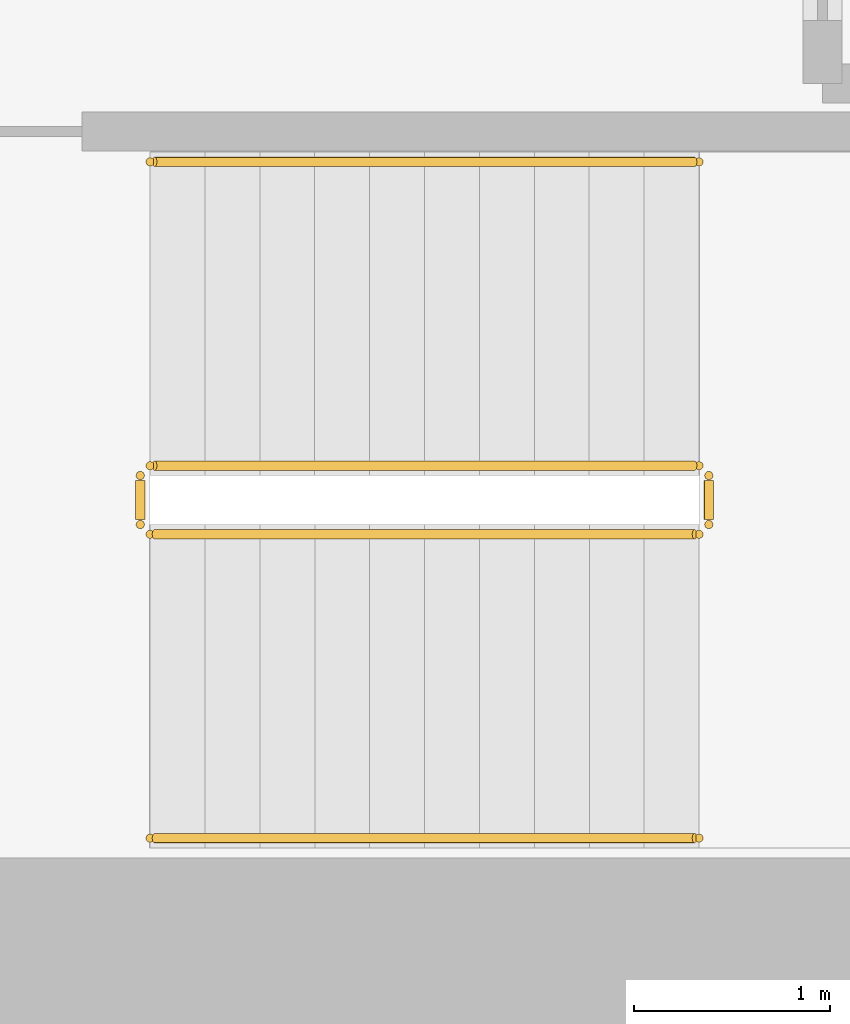
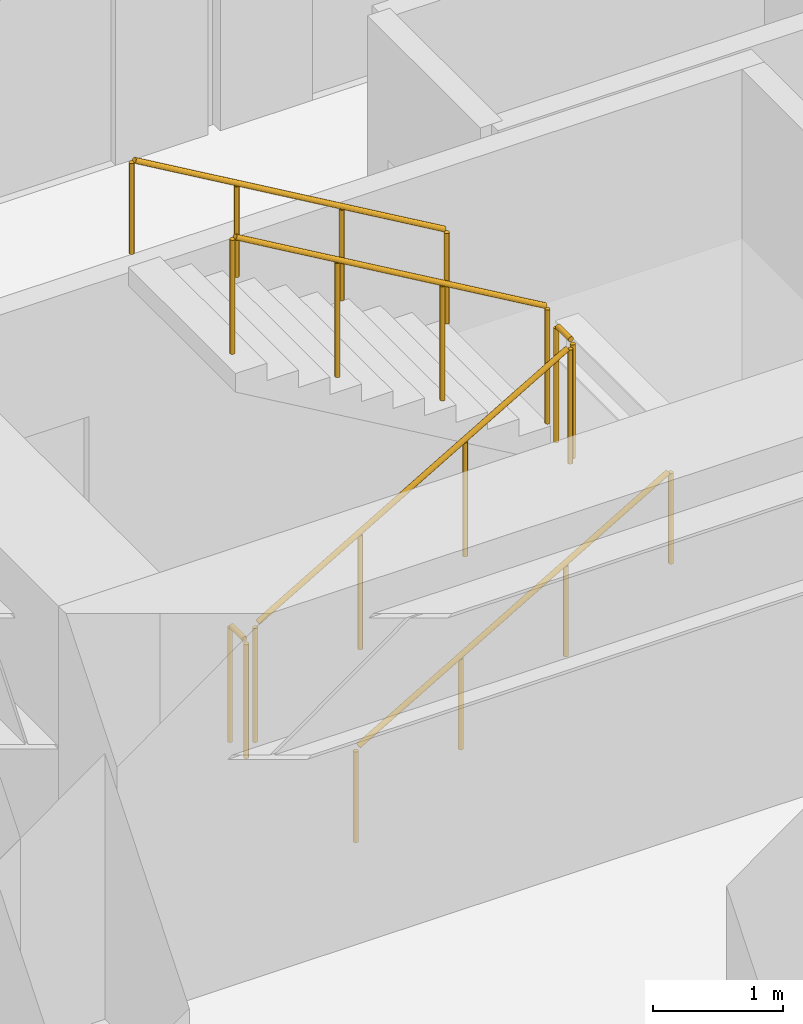
# One storey, part 11 of 11: 6 railings.
"""IFC4 building model written with IfcOpenShell, lengths in metres."""

from ifc_helpers import new_model, si_unit, direction, frame, origin, origin_2d, place, context, subcontext, project, spatial, circle, extrude, source, transform, mapped, material, layer, layer_set, type_object, element, save


model = new_model("IFC4")

# Units and contexts
model_context = context("Model", 3, precision=1e-05, world=origin(), true_north=direction((0.0, 1.0)))
body_context = subcontext(model_context, "Body", "Model", "MODEL_VIEW")
ifc_project = project(units=[si_unit("LENGTHUNIT", "METRE"), si_unit("AREAUNIT", "SQUARE_METRE"), si_unit("VOLUMEUNIT", "CUBIC_METRE"), si_unit("PLANEANGLEUNIT", "RADIAN"), si_unit("MASSUNIT", "GRAM", prefix="KILO")], contexts=[model_context])

# Site, building, storey
site_placement = place(None, origin())
site = spatial("IfcSite", under=ifc_project, at=site_placement, CompositionType="ELEMENT")
building_placement = place(site_placement, origin())
building = spatial("IfcBuilding", under=site, at=building_placement, Name="Kharzan Plaza Tower", CompositionType="ELEMENT")
storey_placement = place(building_placement, frame((0.0, 0.0, 54.89990234375)))
storey = spatial("IfcBuildingStorey", under=building, at=storey_placement, Name="L14", CompositionType="ELEMENT", Elevation=54.89990234375)

# Railings
ifc_material_1 = material(Name="Painted Galvanized Architectural Steel", Category="steel")
ifc_layer_1 = layer(ifc_material_1, 0.074951171875)
ifc_layer_set_1 = layer_set([ifc_layer_1], Name="Painted Galvanized Architectural Steel")
railing_type_1 = type_object("IfcRailingType", Name="RL-GUARD-1120", PredefinedType="BALUSTRADE", material=ifc_layer_set_1)
shared_shape_1 = source(origin(), body_context, "Body", "SweptSolid", [
    extrude(circle(Radius=0.02392578125, at=origin_2d()), frame((0.0, 0.0263671875, 1.09619140625), z_axis=(0.0, 1.0, 0.0), x_axis=(-1.0, 0.0, 0.0)), (0.0, 0.0, 1.0), 0.197021484375),
    extrude(circle(Radius=0.02099609375, at=origin_2d()), origin(), (0.0, 0.0, 1.0), 1.072021484375),
    extrude(circle(Radius=0.02099609375, at=origin_2d()), frame((0.0, 0.25, 0.0)), (0.0, 0.0, 1.0), 1.072021484375),
])
for number, where, name in (
    (1, (41.10009765625, 6.64990234375, 1.800048828125), "L14 ST-3 stair guard 2"),
    (2, (38.199951171875, 6.64990234375, 0.0), "L14 ST-3 stair guard 4"),
):
    element("IfcRailing", number, at=place(storey_placement, frame(where)), inside=storey, type_object=railing_type_1, Name=name, PredefinedType="BALUSTRADE", context=body_context, shape_type="MappedRepresentation", body=[
        mapped(shared_shape_1, transform((0.0, 0.0, 0.0), x_axis=(1.0, 0.0, 0.0), y_axis=(0.0, 1.0, 0.0), z_axis=(0.0, 0.0, 1.0))),
    ])
shared_shape_2 = source(origin(), body_context, "Body", "SweptSolid", [
    extrude(circle(Radius=0.02392578125, at=origin_2d()), frame((-0.02294921875, 0.0, 1.109375), z_axis=(-0.863360870873, 0.0, 0.504586966384), x_axis=(0.0, -1.0, 0.0)), (0.0, 0.0, 1.0), 3.190185546875),
    extrude(circle(Radius=0.02099609375, at=origin_2d()), origin(), (0.0, 0.0, 1.0), 1.072021484375),
    extrude(circle(Radius=0.02099609375, at=origin_2d()), frame((-0.933349609375, 0.0, 0.54541015625)), (0.0, 0.0, 1.0), 1.072021484375),
    extrude(circle(Radius=0.02099609375, at=origin_2d()), frame((-1.86669921875, 0.0, 1.091064453125)), (0.0, 0.0, 1.0), 1.072021484375),
    extrude(circle(Radius=0.02099609375, at=origin_2d()), frame((-2.800048828125, 0.0, 1.636474609375)), (0.0, 0.0, 1.0), 1.072021484375),
])
railing_1_placement = place(storey_placement, frame((41.050048828125, 6.949951171875, 1.963623046875)))
element("IfcRailing", 3, at=railing_1_placement, inside=storey, type_object=railing_type_1, Name="L14 ST-3 stair guard 3", PredefinedType="BALUSTRADE", context=body_context, shape_type="MappedRepresentation", body=[
    mapped(shared_shape_2, transform((0.0, 0.0, 0.0), x_axis=(1.0, 0.0, 0.0), y_axis=(0.0, 1.0, 0.0), z_axis=(0.0, 0.0, 1.0))),
])
ifc_material_2 = material(Name="Brushed Stainless Steel", Category="steel")
ifc_layer_2 = layer(ifc_material_2, 0.050048828125)
ifc_layer_set_2 = layer_set([ifc_layer_2], Name="Brushed Stainless Steel")
railing_type_2 = type_object("IfcRailingType", Name="RL-STAIR-HR920", PredefinedType="HANDRAIL", material=ifc_layer_set_2)
shared_shape_3 = source(origin(), body_context, "Body", "SweptSolid", [
    extrude(circle(Radius=0.02392578125, at=origin_2d()), frame((-0.02294921875, 0.0, 0.88916015625), z_axis=(-0.863360870873, 0.0, 0.504586966384), x_axis=(0.0, -1.0, 0.0)), (0.0, 0.0, 1.0), 3.190185546875),
    extrude(circle(Radius=0.02099609375, at=origin_2d()), origin(), (0.0, 0.0, 1.0), 0.851806640625),
    extrude(circle(Radius=0.02099609375, at=origin_2d()), frame((-0.933349609375, 0.0, 0.54541015625)), (0.0, 0.0, 1.0), 0.851806640625),
    extrude(circle(Radius=0.02099609375, at=origin_2d()), frame((-1.86669921875, 0.0, 1.091064453125)), (0.0, 0.0, 1.0), 0.851806640625),
    extrude(circle(Radius=0.02099609375, at=origin_2d()), frame((-2.800048828125, 0.0, 1.636474609375)), (0.0, 0.0, 1.0), 0.851806640625),
])
railing_2_placement = place(storey_placement, frame((41.050048828125, 8.5, 1.963623046875)))
element("IfcRailing", 4, at=railing_2_placement, inside=storey, type_object=railing_type_2, Name="L14 ST-3 stair handrail 2", PredefinedType="HANDRAIL", context=body_context, shape_type="MappedRepresentation", body=[
    mapped(shared_shape_3, transform((0.0, 0.0, 0.0), x_axis=(1.0, 0.0, 0.0), y_axis=(0.0, 1.0, 0.0), z_axis=(0.0, 0.0, 1.0))),
])
shared_shape_4 = source(origin(), body_context, "Body", "SweptSolid", [
    extrude(circle(Radius=0.02392578125, at=origin_2d()), frame((0.02294921875, 0.0, 1.109375), z_axis=(0.863393664356, 0.0, 0.504530851732), x_axis=(0.0, 1.0, 0.0)), (0.0, 0.0, 1.0), 3.190185546875),
    extrude(circle(Radius=0.02099609375, at=origin_2d()), origin(), (0.0, 0.0, 1.0), 1.072021484375),
    extrude(circle(Radius=0.02099609375, at=origin_2d()), frame((0.933349609375, 0.0, 0.54541015625)), (0.0, 0.0, 1.0), 1.072021484375),
    extrude(circle(Radius=0.02099609375, at=origin_2d()), frame((1.86669921875, 0.0, 1.0908203125)), (0.0, 0.0, 1.0), 1.072021484375),
    extrude(circle(Radius=0.02099609375, at=origin_2d()), frame((2.800048828125, 0.0, 1.63623046875)), (0.0, 0.0, 1.0), 1.072021484375),
])
railing_3_placement = place(storey_placement, frame((38.25, 6.60009765625, 0.163818359375)))
element("IfcRailing", 5, at=railing_3_placement, inside=storey, type_object=railing_type_1, Name="L14 ST-3 stair guard 1", PredefinedType="BALUSTRADE", context=body_context, shape_type="MappedRepresentation", body=[
    mapped(shared_shape_4, transform((0.0, 0.0, 0.0), x_axis=(1.0, 0.0, 0.0), y_axis=(0.0, 1.0, 0.0), z_axis=(0.0, 0.0, 1.0))),
])
shared_shape_5 = source(origin(), body_context, "Body", "SweptSolid", [
    extrude(circle(Radius=0.02392578125, at=origin_2d()), frame((0.02294921875, 0.0, 0.88916015625), z_axis=(0.863393664356, 0.0, 0.504530851732), x_axis=(0.0, 1.0, 0.0)), (0.0, 0.0, 1.0), 3.190185546875),
    extrude(circle(Radius=0.02099609375, at=origin_2d()), origin(), (0.0, 0.0, 1.0), 0.851806640625),
    extrude(circle(Radius=0.02099609375, at=origin_2d()), frame((0.933349609375, 0.0, 0.54541015625)), (0.0, 0.0, 1.0), 0.851806640625),
    extrude(circle(Radius=0.02099609375, at=origin_2d()), frame((1.86669921875, 0.0, 1.0908203125)), (0.0, 0.0, 1.0), 0.851806640625),
    extrude(circle(Radius=0.02099609375, at=origin_2d()), frame((2.800048828125, 0.0, 1.63623046875)), (0.0, 0.0, 1.0), 0.851806640625),
])
railing_4_placement = place(storey_placement, frame((38.25, 5.050048828125, 0.163818359375)))
element("IfcRailing", 6, at=railing_4_placement, inside=storey, type_object=railing_type_2, Name="L14 ST-3 stair handrail 1", PredefinedType="HANDRAIL", context=body_context, shape_type="MappedRepresentation", body=[
    mapped(shared_shape_5, transform((0.0, 0.0, 0.0), x_axis=(1.0, 0.0, 0.0), y_axis=(0.0, 1.0, 0.0), z_axis=(0.0, 0.0, 1.0))),
])

save(model, "model.ifc")
